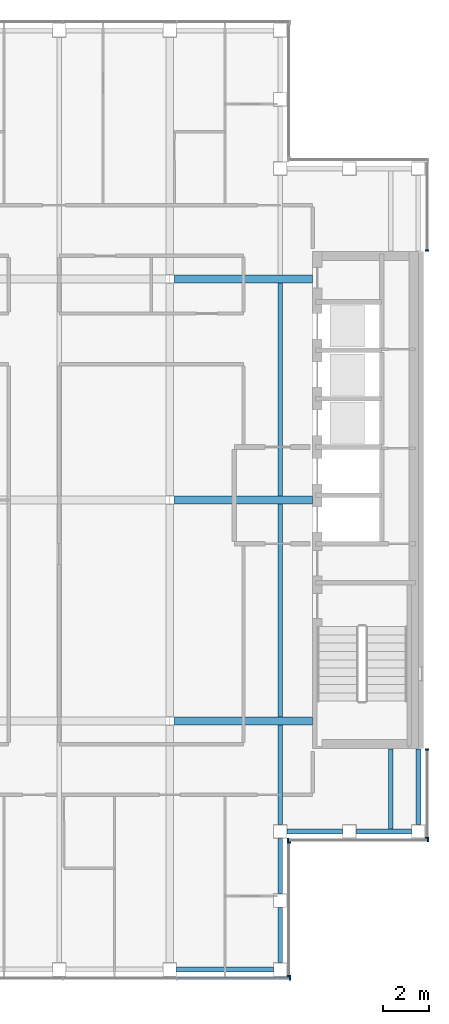
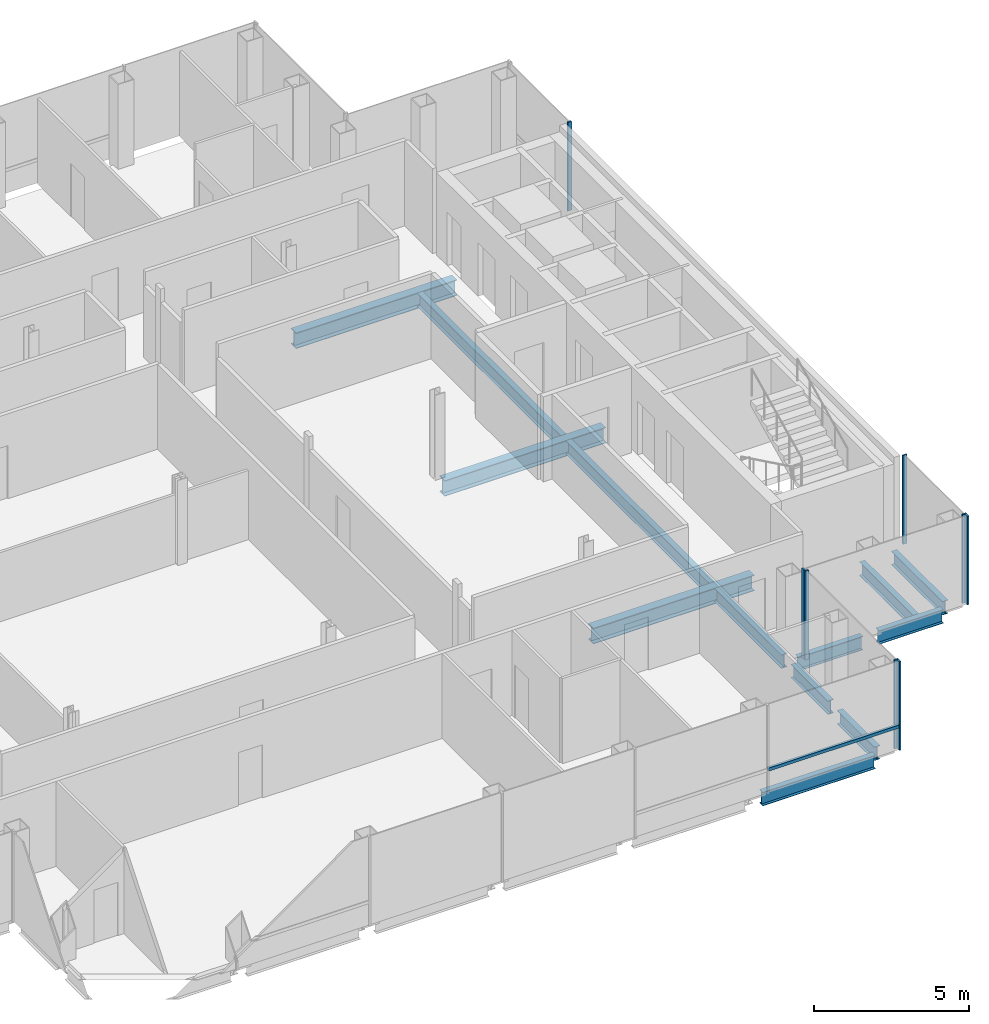
# One storey, part 6 of 15: 13 beams, 9 members, 5 elements without a shape of their own.
"""IFC4 building model written with IfcOpenShell, lengths in metres."""

from ifc_helpers import new_model, si_unit, direction, frame, origin, origin_2d, place, context, subcontext, project, spatial, rectangle, i_section, extrude, material, material_profile, profile_set, type_object, element, aggregate, save


model = new_model("IFC4")

# Units and contexts
model_context = context("Model", 3, precision=1e-05, world=origin(), true_north=direction((0.0, 1.0)))
body_context = subcontext(model_context, "Body", "Model", "MODEL_VIEW")
ifc_project = project(units=[si_unit("LENGTHUNIT", "METRE"), si_unit("AREAUNIT", "SQUARE_METRE"), si_unit("VOLUMEUNIT", "CUBIC_METRE"), si_unit("PLANEANGLEUNIT", "RADIAN"), si_unit("MASSUNIT", "GRAM", prefix="KILO")], contexts=[model_context])

# Site, building, storey
site_placement = place(None, origin())
site = spatial("IfcSite", under=ifc_project, at=site_placement, CompositionType="ELEMENT")
building_placement = place(site_placement, origin())
building = spatial("IfcBuilding", under=site, at=building_placement, Name="Cobrizo Arcos Hotel Tower", CompositionType="ELEMENT")
storey_placement = place(building_placement, frame((0.0, 0.0, 251.5)))
storey = spatial("IfcBuildingStorey", under=building, at=storey_placement, Name="L66", CompositionType="ELEMENT", Elevation=251.5)

# Curtain wall, member
ifc_material_1 = material(Name="Aluminium 6063-T6 anodised bronze", Category="aluminium")
curtain_wall_type = type_object("IfcCurtainWallType", Name="CW-A guest facade", PredefinedType="NOTDEFINED", material=ifc_material_1)
curtain_wall_1_placement = place(storey_placement, origin())
curtain_wall_1 = element("IfcCurtainWall", 1, at=curtain_wall_1_placement, inside=storey, type_object=curtain_wall_type, Name="CW-A L66 S face", PredefinedType="NOTDEFINED")
ifc_material_profile_1 = material_profile(ifc_material_1, rectangle(XDim=0.14990234375, YDim=0.06005859375, at=origin_2d()), Name="CW-A mullion 150x60")
ifc_profile_set_1 = profile_set([ifc_material_profile_1], Name="Aluminium 6063-T6 anodised bronze")
member_type_1 = type_object("IfcMemberType", Name="CW-A mullion 150x60", PredefinedType="MULLION", material=ifc_profile_set_1)
member_1_placement = place(storey_placement, frame((14.820068359375, -20.77490234375, 0.0), z_axis=(0.0, 0.0, 1.0), x_axis=(0.0, -1.0, 0.0)))
member_1 = element("IfcMember", 2, at=member_1_placement, type_object=member_type_1, Name="CW-A mullion 7", PredefinedType="MULLION", context=body_context, shape_type="SweptSolid", body=[
    extrude(rectangle(XDim=0.14990234375, YDim=0.06005859375, at=origin_2d()), origin(), (0.0, 0.0, 1.0), 3.5),
])

# Curtain wall, members
curtain_wall_2_placement = place(storey_placement, origin())
curtain_wall_2 = element("IfcCurtainWall", 3, at=curtain_wall_2_placement, inside=storey, type_object=curtain_wall_type, Name="CW-A L66 E face", PredefinedType="NOTDEFINED")
member_2_placement = place(storey_placement, frame((14.77490234375, -20.669921875, 0.0), z_axis=(0.0, 0.0, 1.0), x_axis=(1.0, 0.0, 0.0)))
member_2 = element("IfcMember", 4, at=member_2_placement, type_object=member_type_1, Name="CW-A mullion 1", PredefinedType="MULLION", context=body_context, shape_type="SweptSolid", body=[
    extrude(rectangle(XDim=0.14990234375, YDim=0.06005859375, at=origin_2d()), origin(), (0.0, 0.0, 1.0), 3.5),
])
member_3_placement = place(storey_placement, frame((14.77490234375, -14.8798828125, 0.0), z_axis=(0.0, 0.0, 1.0), x_axis=(1.0, 0.0, 0.0)))
member_3 = element("IfcMember", 5, at=member_3_placement, type_object=member_type_1, Name="CW-A mullion 2", PredefinedType="MULLION", context=body_context, shape_type="SweptSolid", body=[
    extrude(rectangle(XDim=0.14990234375, YDim=0.06005859375, at=origin_2d()), origin(), (0.0, 0.0, 1.0), 3.5),
])
aggregate(curtain_wall_2, [member_2, member_3])

curtain_wall_3_placement = place(storey_placement, origin())
curtain_wall_3 = element("IfcCurtainWall", 6, at=curtain_wall_3_placement, inside=storey, type_object=curtain_wall_type, Name="CW-A L66 S face", PredefinedType="NOTDEFINED")
member_4_placement = place(storey_placement, frame((14.72998046875, -14.77490234375, 0.0), z_axis=(0.0, 0.0, 1.0), x_axis=(0.0, -1.0, 0.0)))
member_4 = element("IfcMember", 7, at=member_4_placement, type_object=member_type_1, Name="CW-A mullion 1", PredefinedType="MULLION", context=body_context, shape_type="SweptSolid", body=[
    extrude(rectangle(XDim=0.14990234375, YDim=0.06005859375, at=origin_2d()), origin(), (0.0, 0.0, 1.0), 3.5),
])
member_5_placement = place(storey_placement, frame((20.820068359375, -14.77490234375, 0.0), z_axis=(0.0, 0.0, 1.0), x_axis=(0.0, -1.0, 0.0)))
member_5 = element("IfcMember", 8, at=member_5_placement, type_object=member_type_1, Name="CW-A mullion 2", PredefinedType="MULLION", context=body_context, shape_type="SweptSolid", body=[
    extrude(rectangle(XDim=0.14990234375, YDim=0.06005859375, at=origin_2d()), origin(), (0.0, 0.0, 1.0), 3.5),
])
aggregate(curtain_wall_3, [member_4, member_5])

curtain_wall_4_placement = place(storey_placement, origin())
curtain_wall_4 = element("IfcCurtainWall", 9, at=curtain_wall_4_placement, inside=storey, type_object=curtain_wall_type, Name="CW-A L66 E face", PredefinedType="NOTDEFINED")
member_6_placement = place(storey_placement, frame((20.77490234375, -14.669921875, 0.0), z_axis=(0.0, 0.0, 1.0), x_axis=(1.0, 0.0, 0.0)))
member_6 = element("IfcMember", 10, at=member_6_placement, type_object=member_type_1, Name="CW-A mullion 1", PredefinedType="MULLION", context=body_context, shape_type="SweptSolid", body=[
    extrude(rectangle(XDim=0.14990234375, YDim=0.06005859375, at=origin_2d()), origin(), (0.0, 0.0, 1.0), 3.5),
])
member_7_placement = place(storey_placement, frame((20.77490234375, -10.830078125, 0.0), z_axis=(0.0, 0.0, 1.0), x_axis=(1.0, 0.0, 0.0)))
member_7 = element("IfcMember", 11, at=member_7_placement, type_object=member_type_1, Name="CW-A mullion 2", PredefinedType="MULLION", context=body_context, shape_type="SweptSolid", body=[
    extrude(rectangle(XDim=0.14990234375, YDim=0.06005859375, at=origin_2d()), origin(), (0.0, 0.0, 1.0), 3.5),
])
aggregate(curtain_wall_4, [member_6, member_7])

# Curtain wall, member
curtain_wall_5_placement = place(storey_placement, origin())
curtain_wall_5 = element("IfcCurtainWall", 12, at=curtain_wall_5_placement, inside=storey, type_object=curtain_wall_type, Name="CW-A L66 E face", PredefinedType="NOTDEFINED")
member_8_placement = place(storey_placement, frame((20.77490234375, 10.830078125, 0.0), z_axis=(0.0, 0.0, 1.0), x_axis=(1.0, 0.0, 0.0)))
member_8 = element("IfcMember", 13, at=member_8_placement, type_object=member_type_1, Name="CW-A mullion 1", PredefinedType="MULLION", context=body_context, shape_type="SweptSolid", body=[
    extrude(rectangle(XDim=0.14990234375, YDim=0.06005859375, at=origin_2d()), origin(), (0.0, 0.0, 1.0), 3.5),
])
aggregate(curtain_wall_5, [member_8])

# Member
ifc_material_profile_2 = material_profile(ifc_material_1, rectangle(XDim=0.10009765625, YDim=0.1201171875, at=origin_2d()), Name="CW-A transom 120x100")
ifc_profile_set_2 = profile_set([ifc_material_profile_2], Name="Aluminium 6063-T6 anodised bronze")
member_type_2 = type_object("IfcMemberType", Name="CW-A transom 120x100", PredefinedType="USERDEFINED", material=ifc_profile_set_2)
member_9_placement = place(storey_placement, frame((9.929931640625, -20.77490234375, 0.929931640625), z_axis=(1.0, 0.0, 0.0), x_axis=(0.0, 1.0, 0.0)))
member_9 = element("IfcMember", 14, at=member_9_placement, type_object=member_type_2, Name="CW-A transom 2089", ObjectType="TRANSOM", PredefinedType="USERDEFINED", context=body_context, shape_type="SweptSolid", body=[
    extrude(rectangle(XDim=0.10009765625, YDim=0.1201171875, at=origin_2d()), origin(), (0.0, 0.0, 1.0), 4.860107421875),
])

aggregate(curtain_wall_1, [member_1, member_9])

# Beams
ifc_material_2 = material(Name="Steel ASTM A992 Grade 50", Category="steel")
ifc_material_profile_3 = material_profile(ifc_material_2, i_section(OverallWidth=0.209228515625, OverallDepth=0.533447265625, WebThickness=0.01025390625, FlangeThickness=0.015625, at=origin_2d()), Name="W21X62")
ifc_profile_set_3 = profile_set([ifc_material_profile_3], Name="Steel ASTM A992 Grade 50")
beam_type_1 = type_object("IfcBeamType", Name="W21X62 joist", PredefinedType="JOIST", material=ifc_profile_set_3)
beam_1_placement = place(storey_placement, frame((14.39990234375, -14.10009765625, -0.416748046875), z_axis=(0.0, 1.0, 0.0), x_axis=(-1.0, 0.0, 0.0)))
element("IfcBeam", 15, at=beam_1_placement, inside=storey, type_object=beam_type_1, Name="Floor joist J1, L66, no. 015", PredefinedType="JOIST", context=body_context, shape_type="SweptSolid", body=[
    extrude(i_section(OverallWidth=0.209228515625, OverallDepth=0.533447265625, WebThickness=0.01025390625, FlangeThickness=0.015625, at=origin_2d()), origin(), (0.0, 0.0, 1.0), 4.336181640625),
])
for number, where, z_axis, x_axis, name in (
    (16, (14.39990234375, -9.43603515625, -0.416748046875), (0.0, 1.0, 0.0), (-1.0, 0.0, 0.0), "Floor joist J1, L66, no. 016"),
    (17, (14.39990234375, 0.163818359375, -0.416748046875), (0.0, 1.0, 0.0), (-1.0, 0.0, 0.0), "Floor joist J1, L66, no. 017"),
):
    element("IfcBeam", number, at=place(storey_placement, frame(where, z_axis=z_axis, x_axis=x_axis)), inside=storey, type_object=beam_type_1, Name=name, PredefinedType="JOIST", context=body_context, shape_type="SweptSolid", body=[
        extrude(i_section(OverallWidth=0.209228515625, OverallDepth=0.533447265625, WebThickness=0.01025390625, FlangeThickness=0.015625, at=origin_2d()), origin(), (0.0, 0.0, 1.0), 9.272216796875),
    ])
beam_2_placement = place(storey_placement, frame((19.199951171875, -14.31005859375, -0.416748046875), z_axis=(0.0, 1.0, 0.0), x_axis=(-1.0, 0.0, 0.0)))
element("IfcBeam", 18, at=beam_2_placement, inside=storey, type_object=beam_type_1, Name="Floor joist J1, L66, no. 019", PredefinedType="JOIST", context=body_context, shape_type="SweptSolid", body=[
    extrude(i_section(OverallWidth=0.209228515625, OverallDepth=0.533447265625, WebThickness=0.01025390625, FlangeThickness=0.015625, at=origin_2d()), origin(), (0.0, 0.0, 1.0), 3.5),
])
ifc_material_profile_4 = material_profile(ifc_material_2, i_section(OverallWidth=0.209228515625, OverallDepth=0.533447265625, WebThickness=0.01025390625, FlangeThickness=0.015625, at=origin_2d()), Name="W21X62")
ifc_profile_set_4 = profile_set([ifc_material_profile_4], Name="Steel ASTM A992 Grade 50")
beam_type_2 = type_object("IfcBeamType", Name="W21X62 spandrel", PredefinedType="SPANDREL", material=ifc_profile_set_4)
beam_3_placement = place(storey_placement, frame((9.89990234375, -20.39990234375, -0.416748046875), z_axis=(1.0, 0.0, 0.0), x_axis=(0.0, 1.0, 0.0)))
element("IfcBeam", 19, at=beam_3_placement, inside=storey, type_object=beam_type_2, Name="Spandrel beam W21X62, L66, no. 006", PredefinedType="SPANDREL", context=body_context, shape_type="SweptSolid", body=[
    extrude(i_section(OverallWidth=0.209228515625, OverallDepth=0.533447265625, WebThickness=0.01025390625, FlangeThickness=0.015625, at=origin_2d()), origin(), (0.0, 0.0, 1.0), 4.2001953125),
])
for number, where, z_axis, x_axis, name in (
    (20, (14.39990234375, -20.10009765625, -0.416748046875), (0.0, 1.0, 0.0), (-1.0, 0.0, 0.0), "Spandrel beam W21X62, L66, no. 007"),
    (21, (14.39990234375, -17.10009765625, -0.416748046875), (0.0, 1.0, 0.0), (-1.0, 0.0, 0.0), "Spandrel beam W21X62, L66, no. 008"),
    (22, (14.699951171875, -14.39990234375, -0.416748046875), (1.0, 0.0, 0.0), (0.0, 1.0, 0.0), "Spandrel beam W21X62, L66, no. 009"),
    (23, (17.699951171875, -14.39990234375, -0.416748046875), (1.0, 0.0, 0.0), (0.0, 1.0, 0.0), "Spandrel beam W21X62, L66, no. 010"),
):
    element("IfcBeam", number, at=place(storey_placement, frame(where, z_axis=z_axis, x_axis=x_axis)), inside=storey, type_object=beam_type_2, Name=name, PredefinedType="SPANDREL", context=body_context, shape_type="SweptSolid", body=[
        extrude(i_section(OverallWidth=0.209228515625, OverallDepth=0.533447265625, WebThickness=0.01025390625, FlangeThickness=0.015625, at=origin_2d()), origin(), (0.0, 0.0, 1.0), 2.400146484375),
    ])
beam_4_placement = place(storey_placement, frame((20.39990234375, -14.10009765625, -0.416748046875), z_axis=(0.0, 1.0, 0.0), x_axis=(-1.0, 0.0, 0.0)))
element("IfcBeam", 24, at=beam_4_placement, inside=storey, type_object=beam_type_2, Name="Spandrel beam W21X62, L66, no. 011", PredefinedType="SPANDREL", context=body_context, shape_type="SweptSolid", body=[
    extrude(i_section(OverallWidth=0.209228515625, OverallDepth=0.533447265625, WebThickness=0.01025390625, FlangeThickness=0.015625, at=origin_2d()), origin(), (0.0, 0.0, 1.0), 3.2900390625),
])
ifc_material_profile_5 = material_profile(ifc_material_2, i_section(OverallWidth=0.32763671875, OverallDepth=0.622314453125, WebThickness=0.015380859375, FlangeThickness=0.0244140625, at=origin_2d()), Name="W24X131")
ifc_profile_set_5 = profile_set([ifc_material_profile_5], Name="Steel ASTM A992 Grade 50")
beam_type_3 = type_object("IfcBeamType", Name="W24X131 girder", PredefinedType="BEAM", material=ifc_profile_set_5)
for number, where, z_axis, x_axis, name in (
    (25, (9.7841796875, -9.60009765625, -0.461181640625), (1.0, 0.0, 0.0), (0.0, 1.0, 0.0), "Floor girder G1, L66, no. 004"),
    (26, (9.7841796875, 0.0, -0.461181640625), (1.0, 0.0, 0.0), (0.0, 1.0, 0.0), "Floor girder G1, L66, no. 008"),
    (27, (9.7841796875, 9.60009765625, -0.461181640625), (1.0, 0.0, 0.0), (0.0, 1.0, 0.0), "Floor girder G1, L66, no. 012"),
):
    element("IfcBeam", number, at=place(storey_placement, frame(where, z_axis=z_axis, x_axis=x_axis)), inside=storey, type_object=beam_type_3, Name=name, PredefinedType="BEAM", context=body_context, shape_type="SweptSolid", body=[
        extrude(i_section(OverallWidth=0.32763671875, OverallDepth=0.622314453125, WebThickness=0.015380859375, FlangeThickness=0.0244140625, at=origin_2d()), origin(), (0.0, 0.0, 1.0), 6.005859375),
    ])

save(model, "model.ifc")
